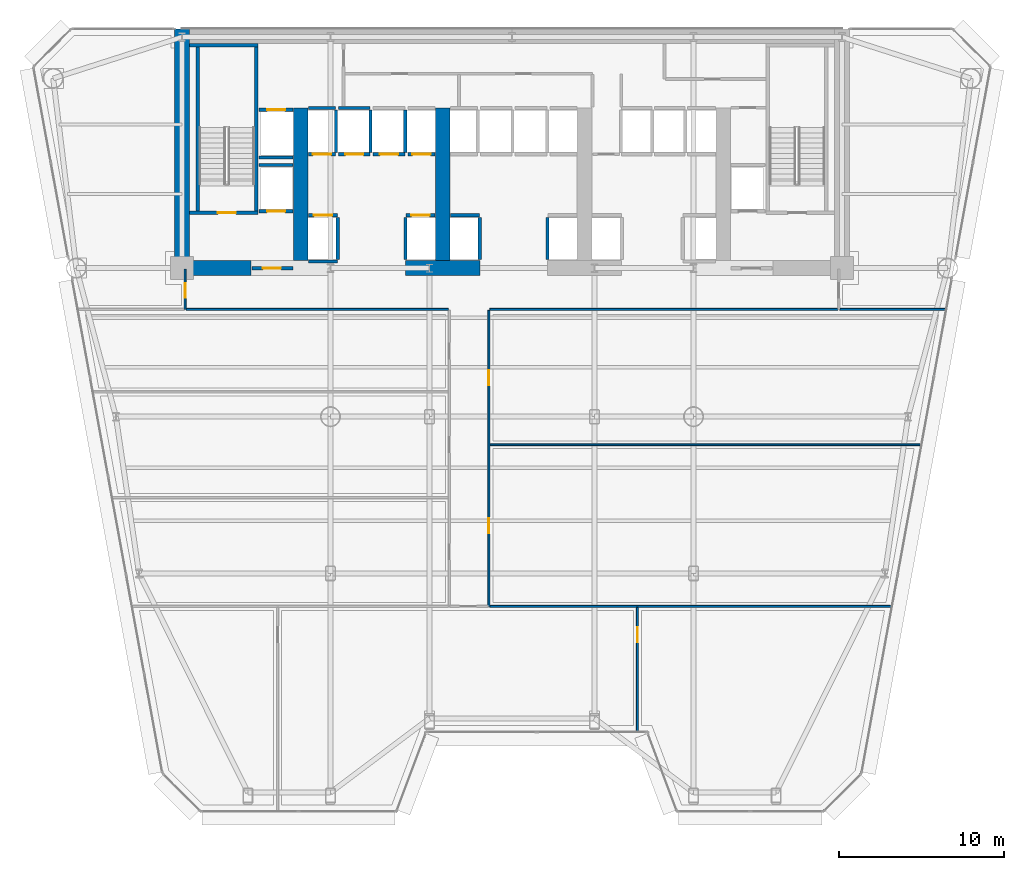
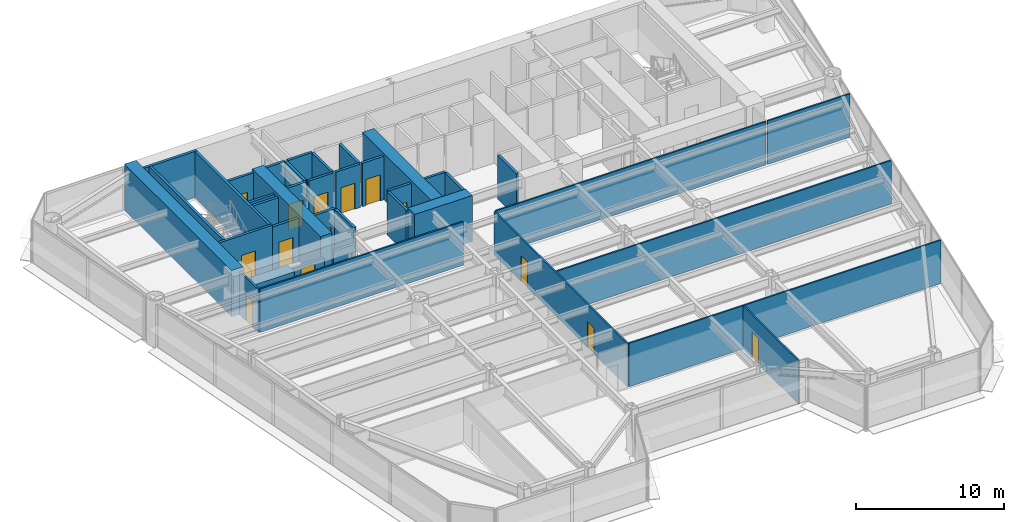
# One storey, part 8 of 14: 39 walls, 14 doors, 14 openings.
"""IFC4 building model written with IfcOpenShell, lengths in metres."""

from ifc_helpers import new_model, si_unit, direction, frame, frame_2d, origin, place, context, subcontext, project, spatial, rectangle, extrude, source, transform, mapped, material, layer, layer_set, type_object, element, fill, save


model = new_model("IFC4")

# Units and contexts
model_context = context("Model", 3, precision=1e-05, world=origin(), true_north=direction((0.0, 1.0)))
body_context = subcontext(model_context, "Body", "Model", "MODEL_VIEW")
ifc_project = project(units=[si_unit("LENGTHUNIT", "METRE"), si_unit("AREAUNIT", "SQUARE_METRE"), si_unit("VOLUMEUNIT", "CUBIC_METRE"), si_unit("PLANEANGLEUNIT", "RADIAN"), si_unit("MASSUNIT", "GRAM", prefix="KILO")], contexts=[model_context])

# Site, building, storey
site_placement = place(None, origin())
site = spatial("IfcSite", under=ifc_project, at=site_placement, CompositionType="ELEMENT")
building_placement = place(site_placement, origin())
building = spatial("IfcBuilding", under=site, at=building_placement, Name="Vaeldorn Concourse Tower", CompositionType="ELEMENT")
storey_placement = place(building_placement, frame((0.0, 0.0, 75.800048828125)))
storey = spatial("IfcBuildingStorey", under=building, at=storey_placement, Name="L19", CompositionType="ELEMENT", Elevation=75.800048828125)

# Walls
ifc_material_1 = material(Name="Concrete C60/75", Category="concrete")
ifc_layer_1 = layer(ifc_material_1, 0.89990234375)
ifc_layer_set_1 = layer_set([ifc_layer_1], Name="Concrete C60/75")
wall_type_1 = type_object("IfcWallType", Name="WL-CORE-900", PredefinedType="SHEAR", material=ifc_layer_set_1)
wall_1_placement = place(storey_placement, frame((14.0, 36.5, 0.0), z_axis=(0.0, 0.0, 1.0), x_axis=(0.0, 1.0, 0.0)))
element("IfcWall", 1, at=wall_1_placement, inside=storey, type_object=wall_type_1, Name="Rear Core Shear Wall L19 W1", PredefinedType="SHEAR", context=body_context, shape_type="SweptSolid", body=[
    extrude(rectangle(XDim=14.5, YDim=0.89990234375, at=frame_2d((7.25, 0.0))), origin(), (0.0, 0.0, 1.0), 3.800048828125),
])
wall_2_placement = place(storey_placement, frame((14.469970703125, 36.5, 0.0), z_axis=(0.0, 0.0, 1.0), x_axis=(1.0, 0.0, 0.0)))
element("IfcWall", 2, at=wall_2_placement, inside=storey, type_object=wall_type_1, Name="Rear Core Shear Wall L19 S1", PredefinedType="SHEAR", context=body_context, shape_type="SweptSolid", body=[
    extrude(rectangle(XDim=3.72998046875, YDim=0.89990234375, at=frame_2d((1.864990234375, 0.0))), origin(), (0.0, 0.0, 1.0), 2.3798828125),
])
wall_3_placement = place(storey_placement, frame((27.550048828125, 36.5, 0.0), z_axis=(0.0, 0.0, 1.0), x_axis=(1.0, 0.0, 0.0)))
element("IfcWall", 3, at=wall_3_placement, inside=storey, type_object=wall_type_1, Name="Rear Core Shear Wall L19 S2", PredefinedType="SHEAR", context=body_context, shape_type="SweptSolid", body=[
    extrude(rectangle(XDim=4.5, YDim=0.89990234375, at=frame_2d((2.25, 0.0))), origin(), (0.0, 0.0, 1.0), 3.800048828125),
])
for number, where, z_axis, x_axis, name in (
    (4, (21.199951171875, 36.969970703125, 0.0), (0.0, 0.0, 1.0), (0.0, 1.0, 0.0), "Rear Core Shear Wall L19 M1"),
    (5, (29.800048828125, 36.969970703125, 0.0), (0.0, 0.0, 1.0), (0.0, 1.0, 0.0), "Rear Core Shear Wall L19 M2"),
):
    element("IfcWall", number, at=place(storey_placement, frame(where, z_axis=z_axis, x_axis=x_axis)), inside=storey, type_object=wall_type_1, Name=name, PredefinedType="SHEAR", context=body_context, shape_type="SweptSolid", body=[
        extrude(rectangle(XDim=9.22998046875, YDim=0.89990234375, at=frame_2d((4.614990234375, 0.0))), origin(), (0.0, 0.0, 1.0), 3.800048828125),
    ])
ifc_material_2 = material(Name="Gypsum Board Partition", Category="gypsum")
ifc_layer_2 = layer(ifc_material_2, 0.1201171875)
ifc_layer_set_2 = layer_set([ifc_layer_2], Name="Gypsum Board Partition")
wall_type_2 = type_object("IfcWallType", Name="WL-PART-120", PredefinedType="PARTITIONING", material=ifc_layer_set_2)
wall_4_placement = place(storey_placement, frame((14.260009765625, 34.0, 0.0), z_axis=(0.0, 0.0, 1.0), x_axis=(1.0, 0.0, 0.0)))
element("IfcWall", 6, at=wall_4_placement, inside=storey, type_object=wall_type_2, Name="Interior Wall PW-L19-C3SW", PredefinedType="PARTITIONING", context=body_context, shape_type="SweptSolid", body=[
    extrude(rectangle(XDim=15.8798828125, YDim=0.1201171875, at=frame_2d((7.93994140625, 0.0))), origin(), (0.0, 0.0, 1.0), 3.579833984375),
])
wall_5_placement = place(storey_placement, frame((32.659912109375, 34.0, 0.0), z_axis=(0.0, 0.0, 1.0), x_axis=(1.0, 0.0, 0.0)))
element("IfcWall", 7, at=wall_5_placement, inside=storey, type_object=wall_type_2, Name="Interior Wall PW-L19-C3SE", PredefinedType="PARTITIONING", context=body_context, shape_type="SweptSolid", body=[
    extrude(rectangle(XDim=21.080078125, YDim=0.1201171875, at=frame_2d((10.5400390625, 0.0))), origin(), (0.0, 0.0, 1.0), 3.579833984375),
])

# Wall, opening, door
wall_6_placement = place(storey_placement, frame((14.199951171875, 34.0, 0.0), z_axis=(0.0, 0.0, 1.0), x_axis=(0.0, 1.0, 0.0)))
wall_6 = element("IfcWall", 8, at=wall_6_placement, inside=storey, type_object=wall_type_2, Name="Interior Wall PW-L19-C3W", PredefinedType="PARTITIONING", context=body_context, shape_type="SweptSolid", body=[
    extrude(rectangle(XDim=2.43994140625, YDim=0.1201171875, at=frame_2d((1.219970703125, 0.0))), origin(), (0.0, 0.0, 1.0), 3.579833984375),
])
opening_1_placement = place(wall_6_placement, frame((0.699951171875, 0.0, 0.0)))
opening_1 = element("IfcOpeningElement", 9, at=opening_1_placement, cuts=wall_6, Name="Opening D-03", PredefinedType="OPENING", context=body_context, shape_type="SweptSolid", body=[
    extrude(rectangle(XDim=0.89990234375, YDim=2.14990234375, at=frame_2d((0.449951171875, 1.074951171875))), frame((0.0, 0.070068359375, 0.0), z_axis=(0.0, -1.0, 0.0), x_axis=(1.0, 0.0, 0.0)), (0.0, 0.0, 1.0), 0.14013671875),
])
ifc_material_3 = material(Name="Acoustic Bronze-Framed Glass Door", Category="glass")
door_type_1 = type_object("IfcDoorType", Name="DR-INT-900", OperationType="NOTDEFINED", PredefinedType="DOOR", material=ifc_material_3)
shared_shape_1 = source(origin(), body_context, "Body", "SweptSolid", [
    extrude(rectangle(XDim=0.89990234375, YDim=2.14990234375, at=frame_2d((0.449951171875, 1.074951171875))), frame((0.0, 0.02490234375, 0.0), z_axis=(0.0, -1.0, 0.0), x_axis=(1.0, 0.0, 0.0)), (0.0, 0.0, 1.0), 0.050048828125),
])
door_1_placement = place(opening_1_placement, origin())
door_1 = element("IfcDoor", 10, at=door_1_placement, inside=storey, type_object=door_type_1, Name="Interior Door DR-L19-Z3NW", OperationType="SINGLE_SWING_LEFT", OverallHeight=2.14990234375, OverallWidth=0.89990234375, PredefinedType="DOOR", context=body_context, shape_type="MappedRepresentation", body=[
    mapped(shared_shape_1, transform((0.0, 0.0, 0.0), scale=1.0)),
])
fill(opening_1, door_1)

# Wall, openings, doors
wall_7_placement = place(storey_placement, frame((32.60009765625, 16.0, 0.0), z_axis=(0.0, 0.0, 1.0), x_axis=(0.0, 1.0, 0.0)))
wall_7 = element("IfcWall", 11, at=wall_7_placement, inside=storey, type_object=wall_type_2, Name="Interior Wall PW-L19-CSPE", PredefinedType="PARTITIONING", context=body_context, shape_type="SweptSolid", body=[
    extrude(rectangle(XDim=17.93994140625, YDim=0.1201171875, at=frame_2d((8.969970703125, 0.0))), origin(), (0.0, 0.0, 1.0), 3.579833984375),
])
opening_2_placement = place(wall_7_placement, frame((4.449951171875, 0.0, 0.0)))
opening_2 = element("IfcOpeningElement", 12, at=opening_2_placement, cuts=wall_7, Name="Opening D-03", PredefinedType="OPENING", context=body_context, shape_type="SweptSolid", body=[
    extrude(rectangle(XDim=0.89990234375, YDim=2.14990234375, at=frame_2d((0.449951171875, 1.074951171875))), frame((0.0, 0.070068359375, 0.0), z_axis=(0.0, -1.0, 0.0), x_axis=(1.0, 0.0, 0.0)), (0.0, 0.0, 1.0), 0.14013671875),
])
opening_3_placement = place(wall_7_placement, frame((13.419921875, 0.0, 0.0)))
opening_3 = element("IfcOpeningElement", 13, at=opening_3_placement, cuts=wall_7, Name="Opening D-03", PredefinedType="OPENING", context=body_context, shape_type="SweptSolid", body=[
    extrude(rectangle(XDim=0.89990234375, YDim=2.14990234375, at=frame_2d((0.449951171875, 1.074951171875))), frame((0.0, 0.070068359375, 0.0), z_axis=(0.0, -1.0, 0.0), x_axis=(1.0, 0.0, 0.0)), (0.0, 0.0, 1.0), 0.14013671875),
])
door_2_placement = place(opening_2_placement, origin())
door_2 = element("IfcDoor", 14, at=door_2_placement, inside=storey, type_object=door_type_1, Name="Interior Door DR-L19-Z3E1", OperationType="SINGLE_SWING_RIGHT", OverallHeight=2.14990234375, OverallWidth=0.89990234375, PredefinedType="DOOR", context=body_context, shape_type="MappedRepresentation", body=[
    mapped(shared_shape_1, transform((0.0, 0.0, 0.0), scale=1.0)),
])
fill(opening_2, door_2)
door_3_placement = place(opening_3_placement, origin())
door_3 = element("IfcDoor", 15, at=door_3_placement, inside=storey, type_object=door_type_1, Name="Interior Door DR-L19-Z3E2", OperationType="SINGLE_SWING_LEFT", OverallHeight=2.14990234375, OverallWidth=0.89990234375, PredefinedType="DOOR", context=body_context, shape_type="MappedRepresentation", body=[
    mapped(shared_shape_1, transform((0.0, 0.0, 0.0), scale=1.0)),
])
fill(opening_3, door_3)

# Walls
wall_8_placement = place(storey_placement, frame((53.860107421875, 34.0, 0.0), z_axis=(0.0, 0.0, 1.0), x_axis=(1.0, 0.0, 0.0)))
element("IfcWall", 16, at=wall_8_placement, inside=storey, type_object=wall_type_2, Name="Interior Wall PW-L19-Z3NEB", PredefinedType="PARTITIONING", context=body_context, shape_type="SweptSolid", body=[
    extrude(rectangle(XDim=6.413818359375, YDim=0.1201171875, at=frame_2d((3.20703125, 0.0))), origin(), (0.0, 0.0, 1.0), 3.579833984375),
])
wall_9_placement = place(storey_placement, frame((32.659912109375, 25.800048828125, 0.0), z_axis=(0.0, 0.0, 1.0), x_axis=(1.0, 0.0, 0.0)))
element("IfcWall", 17, at=wall_9_placement, inside=storey, type_object=wall_type_2, Name="Interior Wall PW-L19-Z3EY1", PredefinedType="PARTITIONING", context=body_context, shape_type="SweptSolid", body=[
    extrude(rectangle(XDim=26.115478515625, YDim=0.1201171875, at=frame_2d((13.0576171875, 0.0))), origin(), (0.0, 0.0, 1.0), 3.579833984375),
])
wall_10_placement = place(storey_placement, frame((32.659912109375, 16.0, 0.0), z_axis=(0.0, 0.0, 1.0), x_axis=(1.0, 0.0, 0.0)))
element("IfcWall", 18, at=wall_10_placement, inside=storey, type_object=wall_type_2, Name="Interior Wall PW-L19-Z3SEL", PredefinedType="PARTITIONING", context=body_context, shape_type="SweptSolid", body=[
    extrude(rectangle(XDim=24.324951171875, YDim=0.1201171875, at=frame_2d((12.16259765625, 0.0))), origin(), (0.0, 0.0, 1.0), 3.579833984375),
])

# Wall, opening, door
wall_11_placement = place(storey_placement, frame((41.60009765625, 8.426025390625, 0.0), z_axis=(0.0, 0.0, 1.0), x_axis=(0.0, 1.0, 0.0)))
wall_11 = element("IfcWall", 19, at=wall_11_placement, inside=storey, type_object=wall_type_2, Name="Interior Wall PW-L19-Z3SX2", PredefinedType="PARTITIONING", context=body_context, shape_type="SweptSolid", body=[
    extrude(rectangle(XDim=7.513916015625, YDim=0.1201171875, at=frame_2d((3.7568359375, 0.0))), origin(), (0.0, 0.0, 1.0), 3.579833984375),
])
opening_4_placement = place(wall_11_placement, frame((5.4140625, 0.0, 0.0)))
opening_4 = element("IfcOpeningElement", 20, at=opening_4_placement, cuts=wall_11, Name="Opening D-03", PredefinedType="OPENING", context=body_context, shape_type="SweptSolid", body=[
    extrude(rectangle(XDim=0.89990234375, YDim=2.14990234375, at=frame_2d((0.449951171875, 1.074951171875))), frame((0.0, 0.070068359375, 0.0), z_axis=(0.0, -1.0, 0.0), x_axis=(1.0, 0.0, 0.0)), (0.0, 0.0, 1.0), 0.14013671875),
])
door_4_placement = place(opening_4_placement, origin())
door_4 = element("IfcDoor", 21, at=door_4_placement, inside=storey, type_object=door_type_1, Name="Interior Door DR-L19-Z3SX2", OperationType="SINGLE_SWING_LEFT", OverallHeight=2.14990234375, OverallWidth=0.89990234375, PredefinedType="DOOR", context=body_context, shape_type="MappedRepresentation", body=[
    mapped(shared_shape_1, transform((0.0, 0.0, 0.0), scale=1.0)),
])
fill(opening_4, door_4)

ifc_material_4 = material(Name="Concrete C50/60", Category="concrete")
ifc_layer_3 = layer(ifc_material_4, 0.199951171875)
ifc_layer_set_3 = layer_set([ifc_layer_3], Name="Concrete C50/60")
wall_type_3 = type_object("IfcWallType", Name="WL-SHAFT-200", PredefinedType="SOLIDWALL", material=ifc_layer_set_3)
wall_12_placement = place(storey_placement, frame((14.449951171875, 39.85009765625, 0.0), z_axis=(0.0, 0.0, 1.0), x_axis=(1.0, 0.0, 0.0)))
wall_12 = element("IfcWall", 22, at=wall_12_placement, inside=storey, type_object=wall_type_3, Name="Stair Shaft Wall CW-L19-ST-1-S", PredefinedType="SOLIDWALL", context=body_context, shape_type="SweptSolid", body=[
    extrude(rectangle(XDim=4.150146484375, YDim=0.199951171875, at=frame_2d((2.0751953125, 0.0))), origin(), (0.0, 0.0, 1.0), 3.800048828125),
])
opening_5_placement = place(wall_12_placement, frame((1.72509765625, 0.0, 0.0)))
opening_5 = element("IfcOpeningElement", 23, at=opening_5_placement, cuts=wall_12, Name="Opening D-01", PredefinedType="OPENING", context=body_context, shape_type="SweptSolid", body=[
    extrude(rectangle(XDim=1.10009765625, YDim=2.14990234375, at=frame_2d((0.550048828125, 1.074951171875))), frame((0.0, 0.10986328125, 0.0), z_axis=(0.0, -1.0, 0.0), x_axis=(1.0, 0.0, 0.0)), (0.0, 0.0, 1.0), 0.219970703125),
])
ifc_material_5 = material(Name="Fire-Rated Timber and Steel Leaf", Category="steel")
door_type_2 = type_object("IfcDoorType", Name="DR-FD60-1100", OperationType="NOTDEFINED", PredefinedType="DOOR", material=ifc_material_5)
shared_shape_2 = source(origin(), body_context, "Body", "SweptSolid", [
    extrude(rectangle(XDim=1.10009765625, YDim=2.14990234375, at=frame_2d((0.550048828125, 1.074951171875))), frame((0.0, 0.02490234375, 0.0), z_axis=(0.0, -1.0, 0.0), x_axis=(1.0, 0.0, 0.0)), (0.0, 0.0, 1.0), 0.050048828125),
])
door_5_placement = place(opening_5_placement, origin())
door_5 = element("IfcDoor", 24, at=door_5_placement, inside=storey, type_object=door_type_2, Name="Interior Door DR-L19-ST-1", OperationType="SINGLE_SWING_LEFT", OverallHeight=2.14990234375, OverallWidth=1.10009765625, PredefinedType="DOOR", context=body_context, shape_type="MappedRepresentation", body=[
    mapped(shared_shape_2, transform((0.0, 0.0, 0.0), scale=1.0)),
])
fill(opening_5, door_5)

# Walls
wall_13_placement = place(storey_placement, frame((14.449951171875, 50.0, 0.0), z_axis=(0.0, 0.0, 1.0), x_axis=(1.0, 0.0, 0.0)))
element("IfcWall", 25, at=wall_13_placement, inside=storey, type_object=wall_type_3, Name="Stair Shaft Wall CW-L19-ST-1-N", PredefinedType="SOLIDWALL", context=body_context, shape_type="SweptSolid", body=[
    extrude(rectangle(XDim=4.150146484375, YDim=0.199951171875, at=frame_2d((2.0751953125, 0.0))), origin(), (0.0, 0.0, 1.0), 3.800048828125),
])
for number, where, z_axis, x_axis, name in (
    (26, (14.949951171875, 39.9599609375, 0.0), (0.0, 0.0, 1.0), (0.0, 1.0, 0.0), "Stair Shaft Wall CW-L19-ST-1-W"),
    (27, (18.5, 39.9599609375, 0.0), (0.0, 0.0, 1.0), (0.0, 1.0, 0.0), "Stair Shaft Wall CW-L19-ST-1-E"),
):
    element("IfcWall", number, at=place(storey_placement, frame(where, z_axis=z_axis, x_axis=x_axis)), inside=storey, type_object=wall_type_3, Name=name, PredefinedType="SOLIDWALL", context=body_context, shape_type="SweptSolid", body=[
        extrude(rectangle(XDim=9.929931640625, YDim=0.199951171875, at=frame_2d((4.96484375, 0.0))), origin(), (0.0, 0.0, 1.0), 3.800048828125),
    ])

# Wall, opening, door
wall_14_placement = place(storey_placement, frame((18.25, 36.5, 0.0), z_axis=(0.0, 0.0, 1.0), x_axis=(1.0, 0.0, 0.0)))
wall_14 = element("IfcWall", 28, at=wall_14_placement, inside=storey, type_object=wall_type_3, Name="Interior Wall CW-L19-FF1S", PredefinedType="SOLIDWALL", context=body_context, shape_type="SweptSolid", body=[
    extrude(rectangle(XDim=2.469970703125, YDim=0.199951171875, at=frame_2d((1.23486328125, 0.0))), origin(), (0.0, 0.0, 1.0), 2.369873046875),
])
opening_6_placement = place(wall_14_placement, frame((0.64990234375, 0.0, 0.0)))
opening_6 = element("IfcOpeningElement", 29, at=opening_6_placement, cuts=wall_14, Name="Opening D-01", PredefinedType="OPENING", context=body_context, shape_type="SweptSolid", body=[
    extrude(rectangle(XDim=1.10009765625, YDim=2.14990234375, at=frame_2d((0.550048828125, 1.074951171875))), frame((0.0, 0.10986328125, 0.0), z_axis=(0.0, -1.0, 0.0), x_axis=(1.0, 0.0, 0.0)), (0.0, 0.0, 1.0), 0.219970703125),
])
door_6_placement = place(opening_6_placement, origin())
door_6 = element("IfcDoor", 30, at=door_6_placement, inside=storey, type_object=door_type_2, Name="Interior Door DR-L19-FF1E", OperationType="SINGLE_SWING_RIGHT", OverallHeight=2.14990234375, OverallWidth=1.10009765625, PredefinedType="DOOR", context=body_context, shape_type="MappedRepresentation", body=[
    mapped(shared_shape_2, transform((0.0, 0.0, 0.0), scale=1.0)),
])
fill(opening_6, door_6)

wall_15_placement = place(storey_placement, frame((21.659912109375, 39.699951171875, 0.0), z_axis=(0.0, 0.0, 1.0), x_axis=(1.0, 0.0, 0.0)))
wall_15 = element("IfcWall", 31, at=wall_15_placement, inside=storey, type_object=wall_type_3, Name="Interior Wall CW-L19-LF-LF-01", PredefinedType="SOLIDWALL", context=body_context, shape_type="SweptSolid", body=[
    extrude(rectangle(XDim=1.77001953125, YDim=0.199951171875, at=frame_2d((0.885009765625, 0.0))), origin(), (0.0, 0.0, 1.0), 3.579833984375),
])
opening_7_placement = place(wall_15_placement, frame((0.3349609375, 0.0, 0.0)))
opening_7 = element("IfcOpeningElement", 32, at=opening_7_placement, cuts=wall_15, Name="Opening LD-1", PredefinedType="OPENING", context=body_context, shape_type="SweptSolid", body=[
    extrude(rectangle(XDim=1.10009765625, YDim=2.14990234375, at=frame_2d((0.550048828125, 1.074951171875))), frame((0.0, 0.10986328125, 0.0), z_axis=(0.0, -1.0, 0.0), x_axis=(1.0, 0.0, 0.0)), (0.0, 0.0, 1.0), 0.219970703125),
])
ifc_material_6 = material(Name="Anodised Bronze Aluminium", Category="aluminium")
door_type_3 = type_object("IfcDoorType", Name="DR-LIFT-SLIDE-1100", OperationType="DOUBLE_DOOR_SLIDING", PredefinedType="DOOR", material=ifc_material_6)
door_7_placement = place(opening_7_placement, origin())
door_7 = element("IfcDoor", 33, at=door_7_placement, inside=storey, type_object=door_type_3, Name="Lift Landing Door LD-L19-LF-01", OperationType="DOUBLE_DOOR_SLIDING", OverallHeight=2.14990234375, OverallWidth=1.10009765625, PredefinedType="DOOR", context=body_context, shape_type="MappedRepresentation", body=[
    mapped(shared_shape_2, transform((0.0, 0.0, 0.0), scale=1.0)),
])
fill(opening_7, door_7)

# Walls
wall_16_placement = place(storey_placement, frame((21.659912109375, 36.89990234375, 0.0), z_axis=(0.0, 0.0, 1.0), x_axis=(1.0, 0.0, 0.0)))
element("IfcWall", 34, at=wall_16_placement, inside=storey, type_object=wall_type_3, Name="Interior Wall CW-L19-LFB-LF-01", PredefinedType="SOLIDWALL", context=body_context, shape_type="SweptSolid", body=[
    extrude(rectangle(XDim=1.77001953125, YDim=0.199951171875, at=frame_2d((0.885009765625, 0.0))), origin(), (0.0, 0.0, 1.0), 2.369873046875),
])
wall_17_placement = place(storey_placement, frame((23.449951171875, 37.02001953125, 0.0), z_axis=(0.0, 0.0, 1.0), x_axis=(0.0, 1.0, 0.0)))
element("IfcWall", 35, at=wall_17_placement, inside=storey, type_object=wall_type_3, Name="Interior Wall CW-L19-LFE-LF-01", PredefinedType="SOLIDWALL", context=body_context, shape_type="SweptSolid", body=[
    extrude(rectangle(XDim=2.56005859375, YDim=0.199951171875, at=frame_2d((1.280029296875, 0.0))), origin(), (0.0, 0.0, 1.0), 3.579833984375),
])

# Wall, opening, door
wall_18_placement = place(storey_placement, frame((27.570068359375, 39.699951171875, 0.0), z_axis=(0.0, 0.0, 1.0), x_axis=(1.0, 0.0, 0.0)))
wall_18 = element("IfcWall", 36, at=wall_18_placement, inside=storey, type_object=wall_type_3, Name="Interior Wall CW-L19-LF-LF-02", PredefinedType="SOLIDWALL", context=body_context, shape_type="SweptSolid", body=[
    extrude(rectangle(XDim=1.77001953125, YDim=0.199951171875, at=frame_2d((0.885009765625, 0.0))), origin(), (0.0, 0.0, 1.0), 3.579833984375),
])
opening_8_placement = place(wall_18_placement, frame((0.3349609375, 0.0, 0.0)))
opening_8 = element("IfcOpeningElement", 37, at=opening_8_placement, cuts=wall_18, Name="Opening LD-1", PredefinedType="OPENING", context=body_context, shape_type="SweptSolid", body=[
    extrude(rectangle(XDim=1.10009765625, YDim=2.14990234375, at=frame_2d((0.550048828125, 1.074951171875))), frame((0.0, 0.10986328125, 0.0), z_axis=(0.0, -1.0, 0.0), x_axis=(1.0, 0.0, 0.0)), (0.0, 0.0, 1.0), 0.219970703125),
])
door_8_placement = place(opening_8_placement, origin())
door_8 = element("IfcDoor", 38, at=door_8_placement, inside=storey, type_object=door_type_3, Name="Lift Landing Door LD-L19-LF-02", OperationType="DOUBLE_DOOR_SLIDING", OverallHeight=2.14990234375, OverallWidth=1.10009765625, PredefinedType="DOOR", context=body_context, shape_type="MappedRepresentation", body=[
    mapped(shared_shape_2, transform((0.0, 0.0, 0.0), scale=1.0)),
])
fill(opening_8, door_8)

# Wall
wall_19_placement = place(storey_placement, frame((27.550048828125, 37.02001953125, 0.0), z_axis=(0.0, 0.0, 1.0), x_axis=(0.0, 1.0, 0.0)))
element("IfcWall", 39, at=wall_19_placement, inside=storey, type_object=wall_type_3, Name="Interior Wall CW-L19-LFW-LF-02", PredefinedType="SOLIDWALL", context=body_context, shape_type="SweptSolid", body=[
    extrude(rectangle(XDim=2.56005859375, YDim=0.199951171875, at=frame_2d((1.280029296875, 0.0))), origin(), (0.0, 0.0, 1.0), 3.579833984375),
])

# Wall, opening, door
wall_20_placement = place(storey_placement, frame((21.659912109375, 43.39990234375, 0.0), z_axis=(0.0, 0.0, 1.0), x_axis=(1.0, 0.0, 0.0)))
wall_20 = element("IfcWall", 40, at=wall_20_placement, inside=storey, type_object=wall_type_3, Name="Interior Wall CW-L19-LF-LF-03", PredefinedType="SOLIDWALL", context=body_context, shape_type="SweptSolid", body=[
    extrude(rectangle(XDim=1.650146484375, YDim=0.199951171875, at=frame_2d((0.8251953125, 0.0))), origin(), (0.0, 0.0, 1.0), 3.579833984375),
])
opening_9_placement = place(wall_20_placement, frame((0.27490234375, 0.0, 0.0)))
opening_9 = element("IfcOpeningElement", 41, at=opening_9_placement, cuts=wall_20, Name="Opening LD-1", PredefinedType="OPENING", context=body_context, shape_type="SweptSolid", body=[
    extrude(rectangle(XDim=1.10009765625, YDim=2.14990234375, at=frame_2d((0.550048828125, 1.074951171875))), frame((0.0, 0.10986328125, 0.0), z_axis=(0.0, -1.0, 0.0), x_axis=(1.0, 0.0, 0.0)), (0.0, 0.0, 1.0), 0.219970703125),
])
door_9_placement = place(opening_9_placement, origin())
door_9 = element("IfcDoor", 42, at=door_9_placement, inside=storey, type_object=door_type_3, Name="Lift Landing Door LD-L19-LF-03", OperationType="DOUBLE_DOOR_SLIDING", OverallHeight=2.14990234375, OverallWidth=1.10009765625, PredefinedType="DOOR", context=body_context, shape_type="MappedRepresentation", body=[
    mapped(shared_shape_2, transform((0.0, 0.0, 0.0), scale=1.0)),
])
fill(opening_9, door_9)

# Walls
wall_21_placement = place(storey_placement, frame((21.659912109375, 46.199951171875, 0.0), z_axis=(0.0, 0.0, 1.0), x_axis=(1.0, 0.0, 0.0)))
element("IfcWall", 43, at=wall_21_placement, inside=storey, type_object=wall_type_3, Name="Interior Wall CW-L19-LFB-LF-03", PredefinedType="SOLIDWALL", context=body_context, shape_type="SweptSolid", body=[
    extrude(rectangle(XDim=1.650146484375, YDim=0.199951171875, at=frame_2d((0.8251953125, 0.0))), origin(), (0.0, 0.0, 1.0), 3.579833984375),
])
wall_22_placement = place(storey_placement, frame((23.330078125, 43.52001953125, 0.0), z_axis=(0.0, 0.0, 1.0), x_axis=(0.0, 1.0, 0.0)))
element("IfcWall", 44, at=wall_22_placement, inside=storey, type_object=wall_type_3, Name="Interior Wall CW-L19-LFE-LF-03", PredefinedType="SOLIDWALL", context=body_context, shape_type="SweptSolid", body=[
    extrude(rectangle(XDim=2.56005859375, YDim=0.199951171875, at=frame_2d((1.280029296875, 0.0))), origin(), (0.0, 0.0, 1.0), 3.579833984375),
])

# Wall, opening, door
wall_23_placement = place(storey_placement, frame((23.489990234375, 43.39990234375, 0.0), z_axis=(0.0, 0.0, 1.0), x_axis=(1.0, 0.0, 0.0)))
wall_23 = element("IfcWall", 45, at=wall_23_placement, inside=storey, type_object=wall_type_3, Name="Interior Wall CW-L19-LF-LF-04", PredefinedType="SOLIDWALL", context=body_context, shape_type="SweptSolid", body=[
    extrude(rectangle(XDim=1.919921875, YDim=0.199951171875, at=frame_2d((0.9599609375, 0.0))), origin(), (0.0, 0.0, 1.0), 3.579833984375),
])
opening_10_placement = place(wall_23_placement, frame((0.409912109375, 0.0, 0.0)))
opening_10 = element("IfcOpeningElement", 46, at=opening_10_placement, cuts=wall_23, Name="Opening LD-1", PredefinedType="OPENING", context=body_context, shape_type="SweptSolid", body=[
    extrude(rectangle(XDim=1.10009765625, YDim=2.14990234375, at=frame_2d((0.550048828125, 1.074951171875))), frame((0.0, 0.10986328125, 0.0), z_axis=(0.0, -1.0, 0.0), x_axis=(1.0, 0.0, 0.0)), (0.0, 0.0, 1.0), 0.219970703125),
])
door_10_placement = place(opening_10_placement, origin())
door_10 = element("IfcDoor", 47, at=door_10_placement, inside=storey, type_object=door_type_3, Name="Lift Landing Door LD-L19-LF-04", OperationType="DOUBLE_DOOR_SLIDING", OverallHeight=2.14990234375, OverallWidth=1.10009765625, PredefinedType="DOOR", context=body_context, shape_type="MappedRepresentation", body=[
    mapped(shared_shape_2, transform((0.0, 0.0, 0.0), scale=1.0)),
])
fill(opening_10, door_10)

# Walls
wall_24_placement = place(storey_placement, frame((23.489990234375, 46.199951171875, 0.0), z_axis=(0.0, 0.0, 1.0), x_axis=(1.0, 0.0, 0.0)))
element("IfcWall", 48, at=wall_24_placement, inside=storey, type_object=wall_type_3, Name="Interior Wall CW-L19-LFB-LF-04", PredefinedType="SOLIDWALL", context=body_context, shape_type="SweptSolid", body=[
    extrude(rectangle(XDim=1.919921875, YDim=0.199951171875, at=frame_2d((0.9599609375, 0.0))), origin(), (0.0, 0.0, 1.0), 3.579833984375),
])
wall_25_placement = place(storey_placement, frame((25.429931640625, 43.52001953125, 0.0), z_axis=(0.0, 0.0, 1.0), x_axis=(0.0, 1.0, 0.0)))
element("IfcWall", 49, at=wall_25_placement, inside=storey, type_object=wall_type_3, Name="Interior Wall CW-L19-LFE-LF-04", PredefinedType="SOLIDWALL", context=body_context, shape_type="SweptSolid", body=[
    extrude(rectangle(XDim=2.56005859375, YDim=0.199951171875, at=frame_2d((1.280029296875, 0.0))), origin(), (0.0, 0.0, 1.0), 3.579833984375),
])

# Wall, opening, door
wall_26_placement = place(storey_placement, frame((25.590087890625, 43.39990234375, 0.0), z_axis=(0.0, 0.0, 1.0), x_axis=(1.0, 0.0, 0.0)))
wall_26 = element("IfcWall", 50, at=wall_26_placement, inside=storey, type_object=wall_type_3, Name="Interior Wall CW-L19-LF-LF-05", PredefinedType="SOLIDWALL", context=body_context, shape_type="SweptSolid", body=[
    extrude(rectangle(XDim=1.919921875, YDim=0.199951171875, at=frame_2d((0.9599609375, 0.0))), origin(), (0.0, 0.0, 1.0), 3.579833984375),
])
opening_11_placement = place(wall_26_placement, frame((0.409912109375, 0.0, 0.0)))
opening_11 = element("IfcOpeningElement", 51, at=opening_11_placement, cuts=wall_26, Name="Opening LD-1", PredefinedType="OPENING", context=body_context, shape_type="SweptSolid", body=[
    extrude(rectangle(XDim=1.10009765625, YDim=2.14990234375, at=frame_2d((0.550048828125, 1.074951171875))), frame((0.0, 0.10986328125, 0.0), z_axis=(0.0, -1.0, 0.0), x_axis=(1.0, 0.0, 0.0)), (0.0, 0.0, 1.0), 0.219970703125),
])
door_11_placement = place(opening_11_placement, origin())
door_11 = element("IfcDoor", 52, at=door_11_placement, inside=storey, type_object=door_type_3, Name="Lift Landing Door LD-L19-LF-05", OperationType="DOUBLE_DOOR_SLIDING", OverallHeight=2.14990234375, OverallWidth=1.10009765625, PredefinedType="DOOR", context=body_context, shape_type="MappedRepresentation", body=[
    mapped(shared_shape_2, transform((0.0, 0.0, 0.0), scale=1.0)),
])
fill(opening_11, door_11)

# Wall
wall_27_placement = place(storey_placement, frame((27.530029296875, 43.52001953125, 0.0), z_axis=(0.0, 0.0, 1.0), x_axis=(0.0, 1.0, 0.0)))
element("IfcWall", 53, at=wall_27_placement, inside=storey, type_object=wall_type_3, Name="Interior Wall CW-L19-LFE-LF-05", PredefinedType="SOLIDWALL", context=body_context, shape_type="SweptSolid", body=[
    extrude(rectangle(XDim=2.56005859375, YDim=0.199951171875, at=frame_2d((1.280029296875, 0.0))), origin(), (0.0, 0.0, 1.0), 3.579833984375),
])

# Wall, opening, door
wall_28_placement = place(storey_placement, frame((27.68994140625, 43.39990234375, 0.0), z_axis=(0.0, 0.0, 1.0), x_axis=(1.0, 0.0, 0.0)))
wall_28 = element("IfcWall", 54, at=wall_28_placement, inside=storey, type_object=wall_type_3, Name="Interior Wall CW-L19-LF-LF-06", PredefinedType="SOLIDWALL", context=body_context, shape_type="SweptSolid", body=[
    extrude(rectangle(XDim=1.650146484375, YDim=0.199951171875, at=frame_2d((0.8251953125, 0.0))), origin(), (0.0, 0.0, 1.0), 3.579833984375),
])
opening_12_placement = place(wall_28_placement, frame((0.27490234375, 0.0, 0.0)))
opening_12 = element("IfcOpeningElement", 55, at=opening_12_placement, cuts=wall_28, Name="Opening LD-1", PredefinedType="OPENING", context=body_context, shape_type="SweptSolid", body=[
    extrude(rectangle(XDim=1.10009765625, YDim=2.14990234375, at=frame_2d((0.550048828125, 1.074951171875))), frame((0.0, 0.10986328125, 0.0), z_axis=(0.0, -1.0, 0.0), x_axis=(1.0, 0.0, 0.0)), (0.0, 0.0, 1.0), 0.219970703125),
])
door_12_placement = place(opening_12_placement, origin())
door_12 = element("IfcDoor", 56, at=door_12_placement, inside=storey, type_object=door_type_3, Name="Lift Landing Door LD-L19-LF-06", OperationType="DOUBLE_DOOR_SLIDING", OverallHeight=2.14990234375, OverallWidth=1.10009765625, PredefinedType="DOOR", context=body_context, shape_type="MappedRepresentation", body=[
    mapped(shared_shape_2, transform((0.0, 0.0, 0.0), scale=1.0)),
])
fill(opening_12, door_12)

# Walls
wall_29_placement = place(storey_placement, frame((30.260009765625, 39.699951171875, 0.0), z_axis=(0.0, 0.0, 1.0), x_axis=(1.0, 0.0, 0.0)))
element("IfcWall", 57, at=wall_29_placement, inside=storey, type_object=wall_type_3, Name="Interior Wall CW-L19-LF-LF-07", PredefinedType="SOLIDWALL", context=body_context, shape_type="SweptSolid", body=[
    extrude(rectangle(XDim=1.77001953125, YDim=0.199951171875, at=frame_2d((0.885009765625, 0.0))), origin(), (0.0, 0.0, 1.0), 3.579833984375),
])
for number, where, z_axis, x_axis, name in (
    (58, (32.050048828125, 37.02001953125, 0.0), (0.0, 0.0, 1.0), (0.0, 1.0, 0.0), "Interior Wall CW-L19-LFE-LF-07"),
    (59, (36.14990234375, 37.02001953125, 0.0), (0.0, 0.0, 1.0), (0.0, 1.0, 0.0), "Interior Wall CW-L19-LFW-LF-08"),
):
    element("IfcWall", number, at=place(storey_placement, frame(where, z_axis=z_axis, x_axis=x_axis)), inside=storey, type_object=wall_type_3, Name=name, PredefinedType="SOLIDWALL", context=body_context, shape_type="SweptSolid", body=[
        extrude(rectangle(XDim=2.56005859375, YDim=0.199951171875, at=frame_2d((1.280029296875, 0.0))), origin(), (0.0, 0.0, 1.0), 3.579833984375),
    ])

# Wall, opening, door
wall_30_placement = place(storey_placement, frame((18.669921875, 46.10009765625, 0.0), z_axis=(0.0, 0.0, 1.0), x_axis=(1.0, 0.0, 0.0)))
wall_30 = element("IfcWall", 60, at=wall_30_placement, inside=storey, type_object=wall_type_3, Name="Interior Wall CW-L19-LF-LF-SV1", PredefinedType="SOLIDWALL", context=body_context, shape_type="SweptSolid", body=[
    extrude(rectangle(XDim=2.070068359375, YDim=0.199951171875, at=frame_2d((1.03515625, 0.0))), origin(), (0.0, 0.0, 1.0), 3.579833984375),
])
opening_13_placement = place(wall_30_placement, frame((0.485107421875, 0.0, 0.0)))
opening_13 = element("IfcOpeningElement", 61, at=opening_13_placement, cuts=wall_30, Name="Opening LD-1", PredefinedType="OPENING", context=body_context, shape_type="SweptSolid", body=[
    extrude(rectangle(XDim=1.10009765625, YDim=2.14990234375, at=frame_2d((0.550048828125, 1.074951171875))), frame((0.0, 0.10986328125, 0.0), z_axis=(0.0, -1.0, 0.0), x_axis=(1.0, 0.0, 0.0)), (0.0, 0.0, 1.0), 0.219970703125),
])
door_13_placement = place(opening_13_placement, origin())
door_13 = element("IfcDoor", 62, at=door_13_placement, inside=storey, type_object=door_type_3, Name="Lift Landing Door LD-L19-LF-SV1", OperationType="DOUBLE_DOOR_SLIDING", OverallHeight=2.14990234375, OverallWidth=1.10009765625, PredefinedType="DOOR", context=body_context, shape_type="MappedRepresentation", body=[
    mapped(shared_shape_2, transform((0.0, 0.0, 0.0), scale=1.0)),
])
fill(opening_13, door_13)

# Wall
wall_31_placement = place(storey_placement, frame((18.669921875, 43.199951171875, 0.0), z_axis=(0.0, 0.0, 1.0), x_axis=(1.0, 0.0, 0.0)))
element("IfcWall", 63, at=wall_31_placement, inside=storey, type_object=wall_type_3, Name="Interior Wall CW-L19-LFB-LF-SV1", PredefinedType="SOLIDWALL", context=body_context, shape_type="SweptSolid", body=[
    extrude(rectangle(XDim=2.070068359375, YDim=0.199951171875, at=frame_2d((1.03515625, 0.0))), origin(), (0.0, 0.0, 1.0), 3.579833984375),
])

# Wall, opening, door
wall_32_placement = place(storey_placement, frame((18.669921875, 39.949951171875, 0.0), z_axis=(0.0, 0.0, 1.0), x_axis=(1.0, 0.0, 0.0)))
wall_32 = element("IfcWall", 64, at=wall_32_placement, inside=storey, type_object=wall_type_3, Name="Interior Wall CW-L19-LF-LF-FF1", PredefinedType="SOLIDWALL", context=body_context, shape_type="SweptSolid", body=[
    extrude(rectangle(XDim=2.070068359375, YDim=0.199951171875, at=frame_2d((1.03515625, 0.0))), origin(), (0.0, 0.0, 1.0), 3.579833984375),
])
opening_14_placement = place(wall_32_placement, frame((0.485107421875, 0.0, 0.0)))
opening_14 = element("IfcOpeningElement", 65, at=opening_14_placement, cuts=wall_32, Name="Opening LD-1", PredefinedType="OPENING", context=body_context, shape_type="SweptSolid", body=[
    extrude(rectangle(XDim=1.10009765625, YDim=2.14990234375, at=frame_2d((0.550048828125, 1.074951171875))), frame((0.0, 0.10986328125, 0.0), z_axis=(0.0, -1.0, 0.0), x_axis=(1.0, 0.0, 0.0)), (0.0, 0.0, 1.0), 0.219970703125),
])
door_14_placement = place(opening_14_placement, origin())
door_14 = element("IfcDoor", 66, at=door_14_placement, inside=storey, type_object=door_type_3, Name="Lift Landing Door LD-L19-LF-FF1", OperationType="DOUBLE_DOOR_SLIDING", OverallHeight=2.14990234375, OverallWidth=1.10009765625, PredefinedType="DOOR", context=body_context, shape_type="MappedRepresentation", body=[
    mapped(shared_shape_2, transform((0.0, 0.0, 0.0), scale=1.0)),
])
fill(opening_14, door_14)

# Wall
wall_33_placement = place(storey_placement, frame((18.669921875, 42.75, 0.0), z_axis=(0.0, 0.0, 1.0), x_axis=(1.0, 0.0, 0.0)))
element("IfcWall", 67, at=wall_33_placement, inside=storey, type_object=wall_type_3, Name="Interior Wall CW-L19-LFB-LF-FF1", PredefinedType="SOLIDWALL", context=body_context, shape_type="SweptSolid", body=[
    extrude(rectangle(XDim=2.070068359375, YDim=0.199951171875, at=frame_2d((1.03515625, 0.0))), origin(), (0.0, 0.0, 1.0), 3.579833984375),
])

save(model, "model.ifc")
